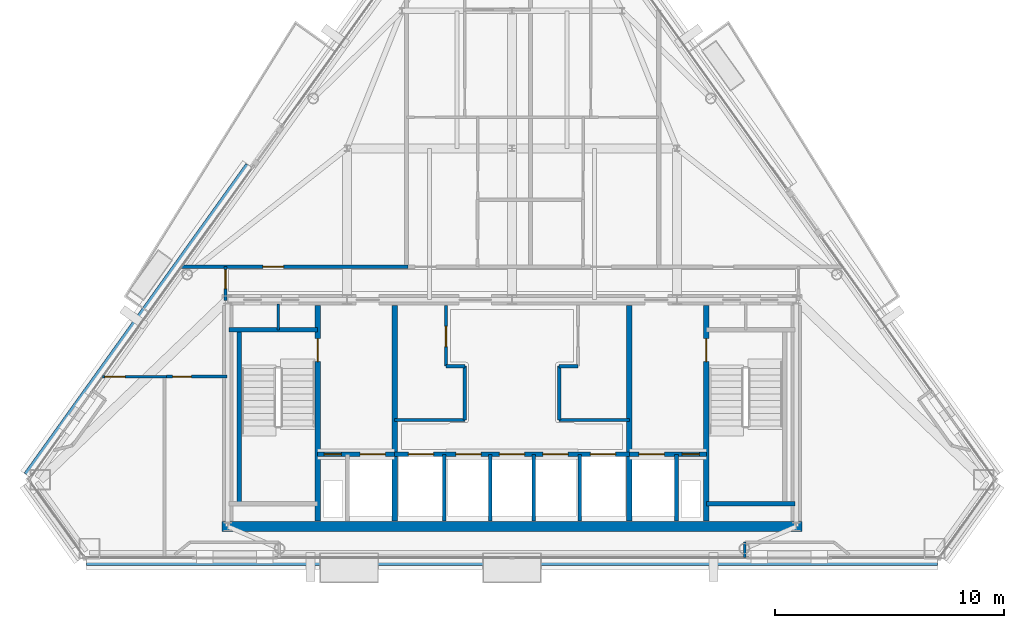
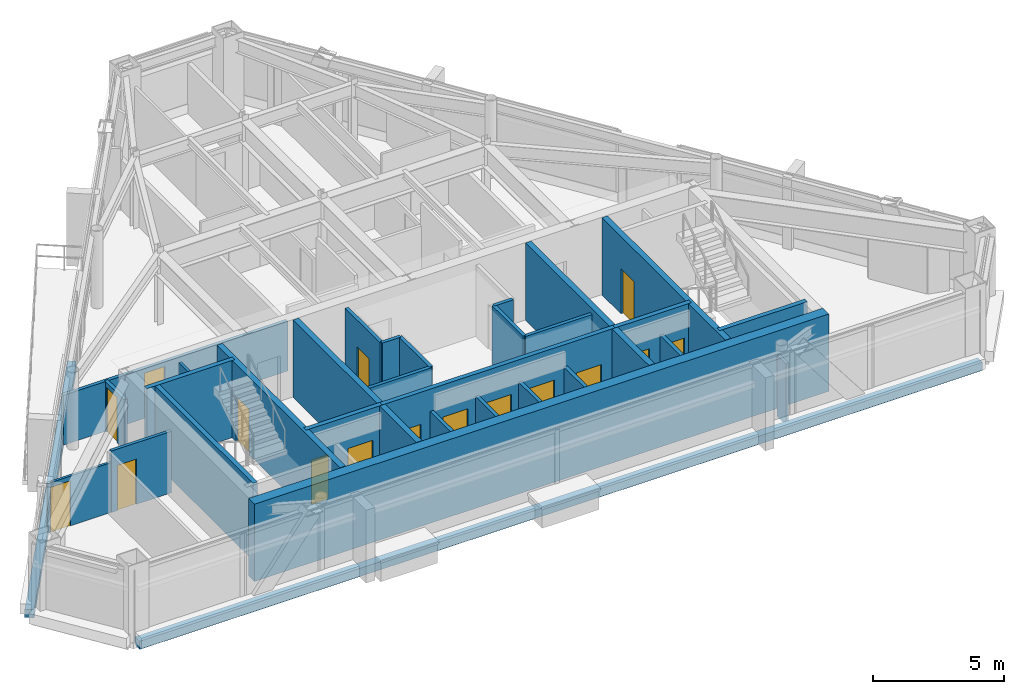
# One storey, part 8 of 12: 31 walls, 16 doors, 16 openings.
"""IFC4 building model written with IfcOpenShell, lengths in metres."""

from ifc_helpers import new_model, si_unit, direction, frame, frame_2d, origin, place, context, subcontext, project, spatial, rectangle, extrude, material, layer, layer_set, type_object, element, fill, save


model = new_model("IFC4")

# Units and contexts
model_context = context("Model", 3, precision=1e-05, world=origin(), true_north=direction((0.0, 1.0)))
body_context = subcontext(model_context, "Body", "Model", "MODEL_VIEW")
ifc_project = project(units=[si_unit("LENGTHUNIT", "METRE"), si_unit("AREAUNIT", "SQUARE_METRE"), si_unit("VOLUMEUNIT", "CUBIC_METRE"), si_unit("PLANEANGLEUNIT", "RADIAN"), si_unit("MASSUNIT", "GRAM", prefix="KILO")], contexts=[model_context])

# Site, building, storey
site_placement = place(None, origin())
site = spatial("IfcSite", under=ifc_project, at=site_placement, CompositionType="ELEMENT")
building_placement = place(site_placement, origin())
building = spatial("IfcBuilding", under=site, at=building_placement, Name="Talgorran Terracotta Tower", CompositionType="ELEMENT")
storey_placement = place(building_placement, frame((0.0, 0.0, 249.0)))
storey = spatial("IfcBuildingStorey", under=building, at=storey_placement, Name="L65", CompositionType="ELEMENT", Elevation=249.0)

# Walls
ifc_material_1 = material(Name="Concrete C50/60", Category="concrete")
ifc_layer_1 = layer(ifc_material_1, 0.199951171875, Name="WT_CORE_200")
ifc_layer_set_1 = layer_set([ifc_layer_1], Name="Concrete C50/60")
wall_type_1 = type_object("IfcWallType", Name="WT_CORE_200", PredefinedType="SOLIDWALL", material=ifc_layer_set_1)
wall_1_placement = place(storey_placement, frame((-12.35009765625, -5.52001953125, 0.0), z_axis=(0.0, 0.0, 1.0), x_axis=(1.0, 0.0, 0.0)))
element("IfcWall", 1, at=wall_1_placement, inside=storey, type_object=wall_type_1, Name="WL-L65-CW-ST1-N", PredefinedType="SOLIDWALL", context=body_context, shape_type="SweptSolid", body=[
    extrude(rectangle(XDim=3.8701171875, YDim=0.199951171875, at=frame_2d((1.93505859375, 0.0))), origin(), (0.0, 0.0, 1.0), 3.60009765625),
])
wall_2_placement = place(storey_placement, frame((-11.89990234375, -13.10009765625, 0.0), z_axis=(0.0, 0.0, 1.0), x_axis=(0.0, 1.0, 0.0)))
element("IfcWall", 2, at=wall_2_placement, inside=storey, type_object=wall_type_1, Name="WL-L65-CW-ST1-W", PredefinedType="SOLIDWALL", context=body_context, shape_type="SweptSolid", body=[
    extrude(rectangle(XDim=7.580078125, YDim=0.199951171875, at=frame_2d((3.7900390625, 0.0))), origin(), (0.0, 0.0, 1.0), 3.60009765625),
])
wall_3_placement = place(storey_placement, frame((8.47998046875, -13.10009765625, 0.0), z_axis=(0.0, 0.0, 1.0), x_axis=(1.0, 0.0, 0.0)))
element("IfcWall", 3, at=wall_3_placement, inside=storey, type_object=wall_type_1, Name="WL-L65-CW-ST2-S", PredefinedType="SOLIDWALL", context=body_context, shape_type="SweptSolid", body=[
    extrude(rectangle(XDim=3.8701171875, YDim=0.199951171875, at=frame_2d((1.93505859375, 0.0))), origin(), (0.0, 0.0, 1.0), 3.60009765625),
])

# Wall, openings, doors
wall_4_placement = place(storey_placement, frame((-8.47998046875, -10.949951171875, 0.0), z_axis=(0.0, 0.0, 1.0), x_axis=(1.0, 0.0, 0.0)))
wall_4 = element("IfcWall", 4, at=wall_4_placement, inside=storey, type_object=wall_type_1, Name="WL-L65-CW-H-SBW", PredefinedType="SOLIDWALL", context=body_context, shape_type="SweptSolid", body=[
    extrude(rectangle(XDim=3.35986328125, YDim=0.199951171875, at=frame_2d((1.679931640625, 0.0))), origin(), (0.0, 0.0, 1.0), 3.60009765625),
])
opening_1_placement = place(wall_4_placement, frame((0.280029296875, 0.0, 0.0)))
opening_1 = element("IfcOpeningElement", 5, at=opening_1_placement, cuts=wall_4, Name="Opening DR-RSW", PredefinedType="OPENING", context=body_context, shape_type="SweptSolid", body=[
    extrude(rectangle(XDim=0.756, YDim=2.054048828125, at=frame_2d((0.375, 1.027099609375))), frame((0.0, 0.10986328125, 0.0), z_axis=(0.0, -1.0, 0.0), x_axis=(1.0, 0.0, 0.0)), (0.0, 0.0, 1.0), 0.219970703125),
])
opening_2_placement = place(wall_4_placement, frame((1.85009765625, 0.0, 0.0)))
opening_2 = element("IfcOpeningElement", 6, at=opening_2_placement, cuts=wall_4, Name="Opening LD-FFL1", PredefinedType="OPENING", context=body_context, shape_type="SweptSolid", body=[
    extrude(rectangle(XDim=1.10609765625, YDim=2.10409765625, at=frame_2d((0.550048828125, 1.052001953125))), frame((0.0, 0.10986328125, 0.0), z_axis=(0.0, -1.0, 0.0), x_axis=(1.0, 0.0, 0.0)), (0.0, 0.0, 1.0), 0.219970703125),
])
ifc_material_2 = material(Name="Brushed Stainless Steel Grade 304", Category="steel")
door_type_1 = type_object("IfcDoorType", Name="DT_LIFT_LD1100", OperationType="DOUBLE_DOOR_SLIDING", PredefinedType="DOOR", material=ifc_material_2)
door_1_placement = place(opening_2_placement, origin())
door_1 = element("IfcDoor", 7, at=door_1_placement, inside=storey, type_object=door_type_1, Name="L65 Lift Landing Door LD-FFL1", OperationType="DOUBLE_DOOR_SLIDING", OverallHeight=2.10009765625, OverallWidth=1.10009765625, PredefinedType="DOOR", context=body_context, shape_type="SweptSolid", body=[
    extrude(rectangle(XDim=1.10009765625, YDim=2.10009765625, at=frame_2d((0.550048828125, 1.050048828125))), frame((0.0, 0.02490234375, 0.0), z_axis=(0.0, -1.0, 0.0), x_axis=(1.0, 0.0, 0.0)), (0.0, 0.0, 1.0), 0.050048828125),
])
fill(opening_2, door_1)
ifc_material_3 = material(Name="Fire-Rated Pressed Steel", Category="steel")
door_type_2 = type_object("IfcDoorType", Name="DT_RISER_750", OperationType="NOTDEFINED", PredefinedType="DOOR", material=ifc_material_3)
door_2_placement = place(opening_1_placement, origin())
door_2 = element("IfcDoor", 8, at=door_2_placement, inside=storey, type_object=door_type_2, Name="DR-RSW", OperationType="SINGLE_SWING_LEFT", OverallHeight=2.050048828125, OverallWidth=0.75, PredefinedType="DOOR", context=body_context, shape_type="SweptSolid", body=[
    extrude(rectangle(XDim=0.75, YDim=2.050048828125, at=frame_2d((0.375, 1.02490234375))), frame((0.0, 0.02490234375, 0.0), z_axis=(0.0, -1.0, 0.0), x_axis=(1.0, 0.0, 0.0)), (0.0, 0.0, 1.0), 0.050048828125),
])
fill(opening_1, door_2)

wall_5_placement = place(storey_placement, frame((-5.1201171875, -10.949951171875, 0.0), z_axis=(0.0, 0.0, 1.0), x_axis=(1.0, 0.0, 0.0)))
wall_5 = element("IfcWall", 9, at=wall_5_placement, inside=storey, type_object=wall_type_1, Name="WL-L65-CW-H-SBC", PredefinedType="SOLIDWALL", context=body_context, shape_type="SweptSolid", body=[
    extrude(rectangle(XDim=10.240234375, YDim=0.199951171875, at=frame_2d((5.1201171875, 0.0))), origin(), (0.0, 0.0, 1.0), 3.60009765625),
])
opening_3_placement = place(wall_5_placement, frame((0.60009765625, 0.0, 0.0)))
opening_3 = element("IfcOpeningElement", 10, at=opening_3_placement, cuts=wall_5, Name="Opening LD-OB1", PredefinedType="OPENING", context=body_context, shape_type="SweptSolid", body=[
    extrude(rectangle(XDim=1.10609765625, YDim=2.10409765625, at=frame_2d((0.550048828125, 1.052001953125))), frame((0.0, 0.10986328125, 0.0), z_axis=(0.0, -1.0, 0.0), x_axis=(1.0, 0.0, 0.0)), (0.0, 0.0, 1.0), 0.219970703125),
])
opening_4_placement = place(wall_5_placement, frame((2.669921875, 0.0, 0.0)))
opening_4 = element("IfcOpeningElement", 11, at=opening_4_placement, cuts=wall_5, Name="Opening LD-PLH1", PredefinedType="OPENING", context=body_context, shape_type="SweptSolid", body=[
    extrude(rectangle(XDim=1.10609765625, YDim=2.10409765625, at=frame_2d((0.550048828125, 1.052001953125))), frame((0.0, 0.10986328125, 0.0), z_axis=(0.0, -1.0, 0.0), x_axis=(1.0, 0.0, 0.0)), (0.0, 0.0, 1.0), 0.219970703125),
])
opening_5_placement = place(wall_5_placement, frame((4.570068359375, 0.0, 0.0)))
opening_5 = element("IfcOpeningElement", 12, at=opening_5_placement, cuts=wall_5, Name="Opening LD-PLH2", PredefinedType="OPENING", context=body_context, shape_type="SweptSolid", body=[
    extrude(rectangle(XDim=1.10609765625, YDim=2.10409765625, at=frame_2d((0.550048828125, 1.052001953125))), frame((0.0, 0.10986328125, 0.0), z_axis=(0.0, -1.0, 0.0), x_axis=(1.0, 0.0, 0.0)), (0.0, 0.0, 1.0), 0.219970703125),
])
opening_6_placement = place(wall_5_placement, frame((6.469970703125, 0.0, 0.0)))
opening_6 = element("IfcOpeningElement", 13, at=opening_6_placement, cuts=wall_5, Name="Opening LD-PLH3", PredefinedType="OPENING", context=body_context, shape_type="SweptSolid", body=[
    extrude(rectangle(XDim=1.10609765625, YDim=2.10409765625, at=frame_2d((0.550048828125, 1.052001953125))), frame((0.0, 0.10986328125, 0.0), z_axis=(0.0, -1.0, 0.0), x_axis=(1.0, 0.0, 0.0)), (0.0, 0.0, 1.0), 0.219970703125),
])
opening_7_placement = place(wall_5_placement, frame((8.5400390625, 0.0, 0.0)))
opening_7 = element("IfcOpeningElement", 14, at=opening_7_placement, cuts=wall_5, Name="Opening LD-SVL1", PredefinedType="OPENING", context=body_context, shape_type="SweptSolid", body=[
    extrude(rectangle(XDim=1.10609765625, YDim=2.10409765625, at=frame_2d((0.550048828125, 1.052001953125))), frame((0.0, 0.10986328125, 0.0), z_axis=(0.0, -1.0, 0.0), x_axis=(1.0, 0.0, 0.0)), (0.0, 0.0, 1.0), 0.219970703125),
])
door_3_placement = place(opening_3_placement, origin())
door_3 = element("IfcDoor", 15, at=door_3_placement, inside=storey, type_object=door_type_1, Name="L65 Lift Landing Door LD-OB1", OperationType="DOUBLE_DOOR_SLIDING", OverallHeight=2.10009765625, OverallWidth=1.10009765625, PredefinedType="DOOR", context=body_context, shape_type="SweptSolid", body=[
    extrude(rectangle(XDim=1.10009765625, YDim=2.10009765625, at=frame_2d((0.550048828125, 1.050048828125))), frame((0.0, 0.02490234375, 0.0), z_axis=(0.0, -1.0, 0.0), x_axis=(1.0, 0.0, 0.0)), (0.0, 0.0, 1.0), 0.050048828125),
])
fill(opening_3, door_3)
door_4_placement = place(opening_4_placement, origin())
door_4 = element("IfcDoor", 16, at=door_4_placement, inside=storey, type_object=door_type_1, Name="L65 Lift Landing Door LD-PLH1", OperationType="DOUBLE_DOOR_SLIDING", OverallHeight=2.10009765625, OverallWidth=1.10009765625, PredefinedType="DOOR", context=body_context, shape_type="SweptSolid", body=[
    extrude(rectangle(XDim=1.10009765625, YDim=2.10009765625, at=frame_2d((0.550048828125, 1.050048828125))), frame((0.0, 0.02490234375, 0.0), z_axis=(0.0, -1.0, 0.0), x_axis=(1.0, 0.0, 0.0)), (0.0, 0.0, 1.0), 0.050048828125),
])
fill(opening_4, door_4)
door_5_placement = place(opening_5_placement, origin())
door_5 = element("IfcDoor", 17, at=door_5_placement, inside=storey, type_object=door_type_1, Name="L65 Lift Landing Door LD-PLH2", OperationType="DOUBLE_DOOR_SLIDING", OverallHeight=2.10009765625, OverallWidth=1.10009765625, PredefinedType="DOOR", context=body_context, shape_type="SweptSolid", body=[
    extrude(rectangle(XDim=1.10009765625, YDim=2.10009765625, at=frame_2d((0.550048828125, 1.050048828125))), frame((0.0, 0.02490234375, 0.0), z_axis=(0.0, -1.0, 0.0), x_axis=(1.0, 0.0, 0.0)), (0.0, 0.0, 1.0), 0.050048828125),
])
fill(opening_5, door_5)
door_6_placement = place(opening_6_placement, origin())
door_6 = element("IfcDoor", 18, at=door_6_placement, inside=storey, type_object=door_type_1, Name="L65 Lift Landing Door LD-PLH3", OperationType="DOUBLE_DOOR_SLIDING", OverallHeight=2.10009765625, OverallWidth=1.10009765625, PredefinedType="DOOR", context=body_context, shape_type="SweptSolid", body=[
    extrude(rectangle(XDim=1.10009765625, YDim=2.10009765625, at=frame_2d((0.550048828125, 1.050048828125))), frame((0.0, 0.02490234375, 0.0), z_axis=(0.0, -1.0, 0.0), x_axis=(1.0, 0.0, 0.0)), (0.0, 0.0, 1.0), 0.050048828125),
])
fill(opening_6, door_6)
door_7_placement = place(opening_7_placement, origin())
door_7 = element("IfcDoor", 19, at=door_7_placement, inside=storey, type_object=door_type_1, Name="L65 Lift Landing Door LD-SVL1", OperationType="DOUBLE_DOOR_SLIDING", OverallHeight=2.10009765625, OverallWidth=1.10009765625, PredefinedType="DOOR", context=body_context, shape_type="SweptSolid", body=[
    extrude(rectangle(XDim=1.10009765625, YDim=2.10009765625, at=frame_2d((0.550048828125, 1.050048828125))), frame((0.0, 0.02490234375, 0.0), z_axis=(0.0, -1.0, 0.0), x_axis=(1.0, 0.0, 0.0)), (0.0, 0.0, 1.0), 0.050048828125),
])
fill(opening_7, door_7)

wall_6_placement = place(storey_placement, frame((5.1201171875, -10.949951171875, 0.0), z_axis=(0.0, 0.0, 1.0), x_axis=(1.0, 0.0, 0.0)))
wall_6 = element("IfcWall", 20, at=wall_6_placement, inside=storey, type_object=wall_type_1, Name="WL-L65-CW-H-SBE", PredefinedType="SOLIDWALL", context=body_context, shape_type="SweptSolid", body=[
    extrude(rectangle(XDim=3.35986328125, YDim=0.199951171875, at=frame_2d((1.679931640625, 0.0))), origin(), (0.0, 0.0, 1.0), 3.60009765625),
])
opening_8_placement = place(wall_6_placement, frame((0.419921875, 0.0, 0.0)))
opening_8 = element("IfcOpeningElement", 21, at=opening_8_placement, cuts=wall_6, Name="Opening LD-FFL2", PredefinedType="OPENING", context=body_context, shape_type="SweptSolid", body=[
    extrude(rectangle(XDim=1.10609765625, YDim=2.10409765625, at=frame_2d((0.550048828125, 1.052001953125))), frame((0.0, 0.10986328125, 0.0), z_axis=(0.0, -1.0, 0.0), x_axis=(1.0, 0.0, 0.0)), (0.0, 0.0, 1.0), 0.219970703125),
])
opening_9_placement = place(wall_6_placement, frame((2.300048828125, 0.0, 0.0)))
opening_9 = element("IfcOpeningElement", 22, at=opening_9_placement, cuts=wall_6, Name="Opening DR-RSE", PredefinedType="OPENING", context=body_context, shape_type="SweptSolid", body=[
    extrude(rectangle(XDim=0.756, YDim=2.054048828125, at=frame_2d((0.375, 1.027099609375))), frame((0.0, 0.10986328125, 0.0), z_axis=(0.0, -1.0, 0.0), x_axis=(1.0, 0.0, 0.0)), (0.0, 0.0, 1.0), 0.219970703125),
])
door_8_placement = place(opening_8_placement, origin())
door_8 = element("IfcDoor", 23, at=door_8_placement, inside=storey, type_object=door_type_1, Name="L65 Lift Landing Door LD-FFL2", OperationType="DOUBLE_DOOR_SLIDING", OverallHeight=2.10009765625, OverallWidth=1.10009765625, PredefinedType="DOOR", context=body_context, shape_type="SweptSolid", body=[
    extrude(rectangle(XDim=1.10009765625, YDim=2.10009765625, at=frame_2d((0.550048828125, 1.050048828125))), frame((0.0, 0.02490234375, 0.0), z_axis=(0.0, -1.0, 0.0), x_axis=(1.0, 0.0, 0.0)), (0.0, 0.0, 1.0), 0.050048828125),
])
fill(opening_8, door_8)
door_9_placement = place(opening_9_placement, origin())
door_9 = element("IfcDoor", 24, at=door_9_placement, inside=storey, type_object=door_type_2, Name="DR-RSE", OperationType="SINGLE_SWING_RIGHT", OverallHeight=2.050048828125, OverallWidth=0.75, PredefinedType="DOOR", context=body_context, shape_type="SweptSolid", body=[
    extrude(rectangle(XDim=0.75, YDim=2.050048828125, at=frame_2d((0.375, 1.02490234375))), frame((0.0, 0.02490234375, 0.0), z_axis=(0.0, -1.0, 0.0), x_axis=(1.0, 0.0, 0.0)), (0.0, 0.0, 1.0), 0.050048828125),
])
fill(opening_9, door_9)

# Wall, opening, door
ifc_layer_2 = layer(ifc_material_1, 0.25, Name="WT_CORE_250")
ifc_layer_set_2 = layer_set([ifc_layer_2], Name="Concrete C50/60")
wall_type_2 = type_object("IfcWallType", Name="WT_CORE_250", PredefinedType="SHEAR", material=ifc_layer_set_2)
wall_7_placement = place(storey_placement, frame((-8.47998046875, -13.85009765625, 0.0), z_axis=(0.0, 0.0, 1.0), x_axis=(0.0, 1.0, 0.0)))
wall_7 = element("IfcWall", 25, at=wall_7_placement, inside=storey, type_object=wall_type_2, Name="WL-L65-CW-V-W1", PredefinedType="SHEAR", context=body_context, shape_type="SweptSolid", body=[
    extrude(rectangle(XDim=9.400146484375, YDim=0.25, at=frame_2d((4.7001953125, 0.0))), origin(), (0.0, 0.0, 1.0), 3.60009765625),
])
opening_10_placement = place(wall_7_placement, frame((6.949951171875, 0.0, 0.0)))
opening_10 = element("IfcOpeningElement", 26, at=opening_10_placement, cuts=wall_7, Name="Opening DR-ST01", PredefinedType="OPENING", context=body_context, shape_type="SweptSolid", body=[
    extrude(rectangle(XDim=1.006, YDim=2.10409765625, at=frame_2d((0.5, 1.052001953125))), frame((0.0, 0.135009765625, 0.0), z_axis=(0.0, -1.0, 0.0), x_axis=(1.0, 0.0, 0.0)), (0.0, 0.0, 1.0), 0.27001953125),
])
door_type_3 = type_object("IfcDoorType", Name="DT_FIRE_1000", OperationType="NOTDEFINED", PredefinedType="DOOR", material=ifc_material_3)
door_10_placement = place(opening_10_placement, origin())
door_10 = element("IfcDoor", 27, at=door_10_placement, inside=storey, type_object=door_type_3, Name="DR-ST01", OperationType="SINGLE_SWING_LEFT", OverallHeight=2.10009765625, OverallWidth=1.0, PredefinedType="DOOR", context=body_context, shape_type="SweptSolid", body=[
    extrude(rectangle(XDim=1.0, YDim=2.10009765625, at=frame_2d((0.5, 1.050048828125))), frame((0.0, 0.02490234375, 0.0), z_axis=(0.0, -1.0, 0.0), x_axis=(1.0, 0.0, 0.0)), (0.0, 0.0, 1.0), 0.050048828125),
])
fill(opening_10, door_10)

wall_8_placement = place(storey_placement, frame((8.47998046875, -13.85009765625, 0.0), z_axis=(0.0, 0.0, 1.0), x_axis=(0.0, 1.0, 0.0)))
wall_8 = element("IfcWall", 28, at=wall_8_placement, inside=storey, type_object=wall_type_2, Name="WL-L65-CW-V-E1", PredefinedType="SHEAR", context=body_context, shape_type="SweptSolid", body=[
    extrude(rectangle(XDim=9.400146484375, YDim=0.25, at=frame_2d((4.7001953125, 0.0))), origin(), (0.0, 0.0, 1.0), 3.60009765625),
])
opening_11_placement = place(wall_8_placement, frame((6.949951171875, 0.0, 0.0)))
opening_11 = element("IfcOpeningElement", 29, at=opening_11_placement, cuts=wall_8, Name="Opening DR-ST02", PredefinedType="OPENING", context=body_context, shape_type="SweptSolid", body=[
    extrude(rectangle(XDim=1.006, YDim=2.10409765625, at=frame_2d((0.5, 1.052001953125))), frame((0.0, 0.135009765625, 0.0), z_axis=(0.0, -1.0, 0.0), x_axis=(1.0, 0.0, 0.0)), (0.0, 0.0, 1.0), 0.27001953125),
])
door_11_placement = place(opening_11_placement, origin())
door_11 = element("IfcDoor", 30, at=door_11_placement, inside=storey, type_object=door_type_3, Name="DR-ST02", OperationType="SINGLE_SWING_RIGHT", OverallHeight=2.10009765625, OverallWidth=1.0, PredefinedType="DOOR", context=body_context, shape_type="SweptSolid", body=[
    extrude(rectangle(XDim=1.0, YDim=2.10009765625, at=frame_2d((0.5, 1.050048828125))), frame((0.0, 0.02490234375, 0.0), z_axis=(0.0, -1.0, 0.0), x_axis=(1.0, 0.0, 0.0)), (0.0, 0.0, 1.0), 0.050048828125),
])
fill(opening_11, door_11)

# Walls
for number, where, z_axis, x_axis, name in (
    (31, (-5.1201171875, -13.85009765625, 0.0), (0.0, 0.0, 1.0), (0.0, 1.0, 0.0), "WL-L65-CW-V-W2"),
    (32, (5.1201171875, -13.85009765625, 0.0), (0.0, 0.0, 1.0), (0.0, 1.0, 0.0), "WL-L65-CW-V-E2"),
):
    element("IfcWall", number, at=place(storey_placement, frame(where, z_axis=z_axis, x_axis=x_axis)), inside=storey, type_object=wall_type_2, Name=name, PredefinedType="SHEAR", context=body_context, shape_type="SweptSolid", body=[
        extrude(rectangle(XDim=9.400146484375, YDim=0.25, at=frame_2d((4.7001953125, 0.0))), origin(), (0.0, 0.0, 1.0), 3.60009765625),
    ])
ifc_material_4 = material(Name="Concrete C65/80", Category="concrete")
ifc_layer_3 = layer(ifc_material_4, 0.449951171875, Name="WT_CORE_EXT")
ifc_layer_set_3 = layer_set([ifc_layer_3], Name="Concrete C65/80")
wall_type_3 = type_object("IfcWallType", Name="WT_CORE_EXT", PredefinedType="SHEAR", material=ifc_layer_set_3)
wall_9_placement = place(storey_placement, frame((-12.64990234375, -14.10009765625, 0.0), z_axis=(0.0, 0.0, 1.0), x_axis=(1.0, 0.0, 0.0)))
element("IfcWall", 33, at=wall_9_placement, inside=storey, type_object=wall_type_3, Name="WL-L65-CW-OUT-S", PredefinedType="SHEAR", context=body_context, shape_type="SweptSolid", body=[
    extrude(rectangle(XDim=25.2998046875, YDim=0.449951171875, at=frame_2d((12.64990234375, 0.0))), origin(), (0.0, 0.0, 1.0), 3.60009765625),
])
ifc_material_5 = material(Name="Fire-Rated Steel Stud Plasterboard", Category="steel")
ifc_layer_4 = layer(ifc_material_5, 0.14990234375, Name="WT_FIRE_150")
ifc_layer_set_4 = layer_set([ifc_layer_4], Name="Fire-Rated Steel Stud Plasterboard")
wall_type_4 = type_object("IfcWallType", Name="WT_FIRE_150", PredefinedType="PARTITIONING", material=ifc_layer_set_4)
wall_10_placement = place(storey_placement, frame((-5.1201171875, -9.449951171875, 0.0), z_axis=(0.0, 0.0, 1.0), x_axis=(1.0, 0.0, 0.0)))
element("IfcWall", 34, at=wall_10_placement, inside=storey, type_object=wall_type_4, Name="WL-L65-CW-H-W4N", PredefinedType="PARTITIONING", context=body_context, shape_type="SweptSolid", body=[
    extrude(rectangle(XDim=3.06005859375, YDim=0.14990234375, at=frame_2d((1.530029296875, 0.0))), origin(), (0.0, 0.0, 1.0), 3.344970703125),
])
wall_11_placement = place(storey_placement, frame((-2.06005859375, -9.449951171875, 0.0), z_axis=(0.0, 0.0, 1.0), x_axis=(0.0, 1.0, 0.0)))
element("IfcWall", 35, at=wall_11_placement, inside=storey, type_object=wall_type_4, Name="WL-L65-CW-V-W3S2", PredefinedType="PARTITIONING", context=body_context, shape_type="SweptSolid", body=[
    extrude(rectangle(XDim=2.349853515625, YDim=0.14990234375, at=frame_2d((1.1748046875, 0.0))), origin(), (0.0, 0.0, 1.0), 3.344970703125),
])
wall_12_placement = place(storey_placement, frame((-2.8798828125, -7.10009765625, 0.0), z_axis=(0.0, 0.0, 1.0), x_axis=(1.0, 0.0, 0.0)))
element("IfcWall", 36, at=wall_12_placement, inside=storey, type_object=wall_type_4, Name="WL-L65-CW-H-W3M2", PredefinedType="PARTITIONING", context=body_context, shape_type="SweptSolid", body=[
    extrude(rectangle(XDim=0.81982421875, YDim=0.14990234375, at=frame_2d((0.409912109375, 0.0))), origin(), (0.0, 0.0, 1.0), 3.344970703125),
])

# Wall, opening, door
wall_13_placement = place(storey_placement, frame((-2.8798828125, -7.10009765625, 0.0), z_axis=(0.0, 0.0, 1.0), x_axis=(0.0, 1.0, 0.0)))
wall_13 = element("IfcWall", 37, at=wall_13_placement, inside=storey, type_object=wall_type_4, Name="WL-L65-CW-V-W3N", PredefinedType="PARTITIONING", context=body_context, shape_type="SweptSolid", body=[
    extrude(rectangle(XDim=2.650146484375, YDim=0.14990234375, at=frame_2d((1.3251953125, 0.0))), origin(), (0.0, 0.0, 1.0), 3.344970703125),
])
opening_12_placement = place(wall_13_placement, frame((0.85009765625, 0.0, 0.0)))
opening_12 = element("IfcOpeningElement", 38, at=opening_12_placement, cuts=wall_13, Name="Opening DR-FRPLL-B", PredefinedType="OPENING", context=body_context, shape_type="SweptSolid", body=[
    extrude(rectangle(XDim=0.8858828125, YDim=2.10409765625, at=frame_2d((0.43994140625, 1.052001953125))), frame((0.0, 0.0849609375, 0.0), z_axis=(0.0, -1.0, 0.0), x_axis=(1.0, 0.0, 0.0)), (0.0, 0.0, 1.0), 0.169921875),
])
ifc_material_6 = material(Name="Solid-Core Painted Timber", Category="wood")
door_type_4 = type_object("IfcDoorType", Name="DT_INT_880", OperationType="NOTDEFINED", PredefinedType="DOOR", material=ifc_material_6)
door_12_placement = place(opening_12_placement, origin())
door_12 = element("IfcDoor", 39, at=door_12_placement, inside=storey, type_object=door_type_4, Name="DR-FRPLL-B", OperationType="SINGLE_SWING_LEFT", OverallHeight=2.10009765625, OverallWidth=0.8798828125, PredefinedType="DOOR", context=body_context, shape_type="SweptSolid", body=[
    extrude(rectangle(XDim=0.8798828125, YDim=2.10009765625, at=frame_2d((0.43994140625, 1.050048828125))), frame((0.0, 0.02490234375, 0.0), z_axis=(0.0, -1.0, 0.0), x_axis=(1.0, 0.0, 0.0)), (0.0, 0.0, 1.0), 0.050048828125),
])
fill(opening_12, door_12)

# Walls
wall_14_placement = place(storey_placement, frame((2.06005859375, -9.449951171875, 0.0), z_axis=(0.0, 0.0, 1.0), x_axis=(1.0, 0.0, 0.0)))
element("IfcWall", 40, at=wall_14_placement, inside=storey, type_object=wall_type_4, Name="WL-L65-CW-H-E4N", PredefinedType="PARTITIONING", context=body_context, shape_type="SweptSolid", body=[
    extrude(rectangle(XDim=3.06005859375, YDim=0.14990234375, at=frame_2d((1.530029296875, 0.0))), origin(), (0.0, 0.0, 1.0), 3.344970703125),
])
wall_15_placement = place(storey_placement, frame((2.06005859375, -9.449951171875, 0.0), z_axis=(0.0, 0.0, 1.0), x_axis=(0.0, 1.0, 0.0)))
element("IfcWall", 41, at=wall_15_placement, inside=storey, type_object=wall_type_4, Name="WL-L65-CW-V-E3S2", PredefinedType="PARTITIONING", context=body_context, shape_type="SweptSolid", body=[
    extrude(rectangle(XDim=2.349853515625, YDim=0.14990234375, at=frame_2d((1.1748046875, 0.0))), origin(), (0.0, 0.0, 1.0), 3.344970703125),
])
wall_16_placement = place(storey_placement, frame((2.06005859375, -7.10009765625, 0.0), z_axis=(0.0, 0.0, 1.0), x_axis=(1.0, 0.0, 0.0)))
element("IfcWall", 42, at=wall_16_placement, inside=storey, type_object=wall_type_4, Name="WL-L65-CW-H-E3M2", PredefinedType="PARTITIONING", context=body_context, shape_type="SweptSolid", body=[
    extrude(rectangle(XDim=0.81982421875, YDim=0.14990234375, at=frame_2d((0.409912109375, 0.0))), origin(), (0.0, 0.0, 1.0), 3.344970703125),
])

# Wall, opening, door
wall_17_placement = place(storey_placement, frame((-14.419921875, -2.760009765625, 0.0), z_axis=(0.0, 0.0, 1.0), x_axis=(1.0, 0.0, 0.0)))
wall_17 = element("IfcWall", 43, at=wall_17_placement, inside=storey, type_object=wall_type_4, Name="WL-L65-W-L65-R03", PredefinedType="PARTITIONING", context=body_context, shape_type="SweptSolid", body=[
    extrude(rectangle(XDim=9.8798828125, YDim=0.14990234375, at=frame_2d((4.93994140625, 0.0))), origin(), (0.0, 0.0, 1.0), 2.320068359375),
])
opening_13_placement = place(wall_17_placement, frame((3.555419921875, 0.0, 0.0)))
opening_13 = element("IfcOpeningElement", 44, at=opening_13_placement, cuts=wall_17, Name="Opening DR-L65-R05", PredefinedType="OPENING", context=body_context, shape_type="SweptSolid", body=[
    extrude(rectangle(XDim=0.90590234375, YDim=2.10409765625, at=frame_2d((0.449951171875, 1.052001953125))), frame((0.0, 0.0849609375, 0.0), z_axis=(0.0, -1.0, 0.0), x_axis=(1.0, 0.0, 0.0)), (0.0, 0.0, 1.0), 0.169921875),
])
ifc_material_7 = material(Name="Fire-Rated Timber Core", Category="wood")
door_type_5 = type_object("IfcDoorType", Name="DT_FIRE_900", OperationType="NOTDEFINED", PredefinedType="DOOR", material=ifc_material_7)
door_13_placement = place(opening_13_placement, origin())
door_13 = element("IfcDoor", 45, at=door_13_placement, inside=storey, type_object=door_type_5, Name="DR-L65-R05", OperationType="SINGLE_SWING_LEFT", OverallHeight=2.10009765625, OverallWidth=0.89990234375, PredefinedType="DOOR", context=body_context, shape_type="SweptSolid", body=[
    extrude(rectangle(XDim=0.89990234375, YDim=2.10009765625, at=frame_2d((0.449951171875, 1.050048828125))), frame((0.0, 0.02490234375, 0.0), z_axis=(0.0, -1.0, 0.0), x_axis=(1.0, 0.0, 0.0)), (0.0, 0.0, 1.0), 0.050048828125),
])
fill(opening_13, door_13)

wall_18_placement = place(storey_placement, frame((-12.5, -4.239990234375, 0.0), z_axis=(0.0, 0.0, 1.0), x_axis=(0.0, 1.0, 0.0)))
wall_18 = element("IfcWall", 46, at=wall_18_placement, inside=storey, type_object=wall_type_4, Name="WL-L65-W-L65-R01", PredefinedType="PARTITIONING", context=body_context, shape_type="SweptSolid", body=[
    extrude(rectangle(XDim=1.47998046875, YDim=0.14990234375, at=frame_2d((0.739990234375, 0.0))), origin(), (0.0, 0.0, 1.0), 2.320068359375),
])
opening_14_placement = place(wall_18_placement, frame((0.521728515625, 0.0, 0.0)))
opening_14 = element("IfcOpeningElement", 47, at=opening_14_placement, cuts=wall_18, Name="Opening DR-L65-R01", PredefinedType="OPENING", context=body_context, shape_type="SweptSolid", body=[
    extrude(rectangle(XDim=0.826068359375, YDim=2.10409765625, at=frame_2d((0.41015625, 1.052001953125))), frame((0.0, 0.0849609375, 0.0), z_axis=(0.0, -1.0, 0.0), x_axis=(1.0, 0.0, 0.0)), (0.0, 0.0, 1.0), 0.169921875),
])
ifc_material_8 = material(Name="Moisture-Resistant Solid Timber", Category="wood")
door_type_6 = type_object("IfcDoorType", Name="DT_INT_820", OperationType="NOTDEFINED", PredefinedType="DOOR", material=ifc_material_8)
door_14_placement = place(opening_14_placement, origin())
door_14 = element("IfcDoor", 48, at=door_14_placement, inside=storey, type_object=door_type_6, Name="DR-L65-R01", OperationType="SINGLE_SWING_LEFT", OverallHeight=2.10009765625, OverallWidth=0.820068359375, PredefinedType="DOOR", context=body_context, shape_type="SweptSolid", body=[
    extrude(rectangle(XDim=0.820068359375, YDim=2.10009765625, at=frame_2d((0.41015625, 1.050048828125))), frame((0.0, 0.02490234375, 0.0), z_axis=(0.0, -1.0, 0.0), x_axis=(1.0, 0.0, 0.0)), (0.0, 0.0, 1.0), 0.050048828125),
])
fill(opening_14, door_14)

# Walls
ifc_material_9 = material(Name="Concrete C40/50", Category="concrete")
ifc_layer_5 = layer(ifc_material_9, 0.219970703125, Name="WT_PARAPET_RC")
ifc_layer_set_5 = layer_set([ifc_layer_5], Name="Concrete C40/50")
wall_type_5 = type_object("IfcWallType", Name="WT_PARAPET_RC", PredefinedType="PARAPET", material=ifc_layer_set_5)
wall_19_placement = place(storey_placement, frame((-18.5576171875, -15.623291015625, -0.199951171875), z_axis=(0.0, 0.0, 1.0), x_axis=(1.0, 0.0, 0.0)))
element("IfcWall", 49, at=wall_19_placement, inside=storey, type_object=wall_type_5, Name="L65 Striped Portal Precast Cornice F1", PredefinedType="PARAPET", context=body_context, shape_type="SweptSolid", body=[
    extrude(rectangle(XDim=37.115234375, YDim=0.360107421875, at=frame_2d((18.5576171875, 0.0))), origin(), (0.0, 0.0, 1.0), 0.3798828125),
])
wall_20_placement = place(storey_placement, frame((-11.4677734375, 1.637451171875, -0.199951171875), z_axis=(0.0, 0.0, 1.0), x_axis=(-0.582200027891, -0.813045587605, 0.0)))
element("IfcWall", 50, at=wall_20_placement, inside=storey, type_object=wall_type_5, Name="L65 Striped Portal Precast Cornice F61", PredefinedType="PARAPET", context=body_context, shape_type="SweptSolid", body=[
    extrude(rectangle(XDim=16.6083984375, YDim=0.360107421875, at=frame_2d((8.30419921875, 0.0))), origin(), (0.0, 0.0, 1.0), 0.3798828125),
])

# Wall, opening, door
ifc_material_10 = material(Name="Lightweight Steel Stud Partition", Category="steel")
ifc_layer_6 = layer(ifc_material_10, 0.10498046875, Name="WT_PART_110")
ifc_layer_set_6 = layer_set([ifc_layer_6], Name="Lightweight Steel Stud Partition")
wall_type_6 = type_object("IfcWallType", Name="WT_PART_110", PredefinedType="PARTITIONING", material=ifc_layer_set_6)
wall_21_placement = place(storey_placement, frame((-17.857177734375, -7.56005859375, 0.0), z_axis=(0.0, 0.0, 1.0), x_axis=(1.0, 0.0, 0.0)))
wall_21 = element("IfcWall", 51, at=wall_21_placement, inside=storey, type_object=wall_type_6, Name="WL-L65-W-L65-R10", PredefinedType="PARTITIONING", context=body_context, shape_type="SweptSolid", body=[
    extrude(rectangle(XDim=2.777099609375, YDim=0.10498046875, at=frame_2d((1.388671875, 0.0))), origin(), (0.0, 0.0, 1.0), 2.320068359375),
])
opening_15_placement = place(wall_21_placement, frame((0.10009765625, 0.0, 0.0)))
opening_15 = element("IfcOpeningElement", 52, at=opening_15_placement, cuts=wall_21, Name="Opening DR-L65-R03", PredefinedType="OPENING", context=body_context, shape_type="SweptSolid", body=[
    extrude(rectangle(XDim=0.8858828125, YDim=2.10409765625, at=frame_2d((0.43994140625, 1.052001953125))), frame((0.0, 0.0625, 0.0), z_axis=(0.0, -1.0, 0.0), x_axis=(1.0, 0.0, 0.0)), (0.0, 0.0, 1.0), 0.125),
])
door_15_placement = place(opening_15_placement, origin())
door_15 = element("IfcDoor", 53, at=door_15_placement, inside=storey, type_object=door_type_4, Name="DR-L65-R03", OperationType="SINGLE_SWING_LEFT", OverallHeight=2.10009765625, OverallWidth=0.8798828125, PredefinedType="DOOR", context=body_context, shape_type="SweptSolid", body=[
    extrude(rectangle(XDim=0.8798828125, YDim=2.10009765625, at=frame_2d((0.43994140625, 1.050048828125))), frame((0.0, 0.02490234375, 0.0), z_axis=(0.0, -1.0, 0.0), x_axis=(1.0, 0.0, 0.0)), (0.0, 0.0, 1.0), 0.050048828125),
])
fill(opening_15, door_15)

# Walls
ifc_material_11 = material(Name="Insulated Steel Stud Plasterboard", Category="steel")
ifc_layer_7 = layer(ifc_material_11, 0.1201171875, Name="WT_PART_120")
ifc_layer_set_7 = layer_set([ifc_layer_7], Name="Insulated Steel Stud Plasterboard")
wall_type_7 = type_object("IfcWallType", Name="WT_PART_120", PredefinedType="PARTITIONING", material=ifc_layer_set_7)
wall_22_placement = place(storey_placement, frame((-10.199951171875, -5.52001953125, 0.0), z_axis=(0.0, 0.0, 1.0), x_axis=(0.0, 1.0, 0.0)))
element("IfcWall", 54, at=wall_22_placement, inside=storey, type_object=wall_type_7, Name="WL-L65-CW-CSW-DIV", PredefinedType="PARTITIONING", context=body_context, shape_type="SweptSolid", body=[
    extrude(rectangle(XDim=1.1201171875, YDim=0.1201171875, at=frame_2d((0.56005859375, 0.0))), origin(), (0.0, 0.0, 1.0), 3.344970703125),
])
wall_23_placement = place(storey_placement, frame((10.157958984375, -15.453369140625, 0.0), z_axis=(0.0, 0.0, 1.0), x_axis=(0.0, 1.0, 0.0)))
element("IfcWall", 55, at=wall_23_placement, inside=storey, type_object=wall_type_7, Name="WL-L65-BW-L65-05", PredefinedType="PARTITIONING", context=body_context, shape_type="SweptSolid", body=[
    extrude(rectangle(XDim=0.670166015625, YDim=0.1201171875, at=frame_2d((0.3349609375, 0.0))), origin(), (0.0, 0.0, 1.0), 2.863037109375),
])

# Wall, opening, door
ifc_material_12 = material(Name="Moisture-Resistant Stud Wall")
ifc_layer_8 = layer(ifc_material_12, 0.135009765625, Name="WT_PART_135")
ifc_layer_set_8 = layer_set([ifc_layer_8], Name="Moisture-Resistant Stud Wall")
wall_type_8 = type_object("IfcWallType", Name="WT_PART_135", PredefinedType="PARTITIONING", material=ifc_layer_set_8)
wall_24_placement = place(storey_placement, frame((-15.077880859375, -7.56005859375, 0.0), z_axis=(0.0, 0.0, 1.0), x_axis=(1.0, 0.0, 0.0)))
wall_24 = element("IfcWall", 56, at=wall_24_placement, inside=storey, type_object=wall_type_8, Name="WL-L65-W-L65-R09", PredefinedType="PARTITIONING", context=body_context, shape_type="SweptSolid", body=[
    extrude(rectangle(XDim=2.637939453125, YDim=0.135009765625, at=frame_2d((1.31884765625, 0.0))), origin(), (0.0, 0.0, 1.0), 2.863037109375),
])
opening_16_placement = place(wall_24_placement, frame((0.2705078125, 0.0, 0.0)))
opening_16 = element("IfcOpeningElement", 57, at=opening_16_placement, cuts=wall_24, Name="Opening DR-L65-R02", PredefinedType="OPENING", context=body_context, shape_type="SweptSolid", body=[
    extrude(rectangle(XDim=0.826068359375, YDim=2.10409765625, at=frame_2d((0.41015625, 1.052001953125))), frame((0.0, 0.07763671875, 0.0), z_axis=(0.0, -1.0, 0.0), x_axis=(1.0, 0.0, 0.0)), (0.0, 0.0, 1.0), 0.155029296875),
])
door_16_placement = place(opening_16_placement, origin())
door_16 = element("IfcDoor", 58, at=door_16_placement, inside=storey, type_object=door_type_6, Name="DR-L65-R02", OperationType="SINGLE_SWING_RIGHT", OverallHeight=2.10009765625, OverallWidth=0.820068359375, PredefinedType="DOOR", context=body_context, shape_type="SweptSolid", body=[
    extrude(rectangle(XDim=0.820068359375, YDim=2.10009765625, at=frame_2d((0.41015625, 1.050048828125))), frame((0.0, 0.02490234375, 0.0), z_axis=(0.0, -1.0, 0.0), x_axis=(1.0, 0.0, 0.0)), (0.0, 0.0, 1.0), 0.050048828125),
])
fill(opening_16, door_16)

# Walls
ifc_material_13 = material(Name="Fire-Rated Shaftwall")
ifc_layer_9 = layer(ifc_material_13, 0.159912109375, Name="WT_PART_150")
ifc_layer_set_9 = layer_set([ifc_layer_9], Name="Fire-Rated Shaftwall")
wall_type_9 = type_object("IfcWallType", Name="WT_PART_150", PredefinedType="PARTITIONING", material=ifc_layer_set_9)
for number, where, z_axis, x_axis, name in (
    (59, (7.179931640625, -13.85009765625, 0.0), (0.0, 0.0, 1.0), (0.0, 1.0, 0.0), "WL-L65-CW-RSE"),
    (60, (-2.949951171875, -13.85009765625, 0.0), (0.0, 0.0, 1.0), (0.0, 1.0, 0.0), "WL-L65-CW-OB-E"),
    (61, (2.949951171875, -13.85009765625, 0.0), (0.0, 0.0, 1.0), (0.0, 1.0, 0.0), "WL-L65-CW-SV-W"),
    (62, (-0.949951171875, -13.85009765625, 0.0), (0.0, 0.0, 1.0), (0.0, 1.0, 0.0), "WL-L65-CW-PLH-D1"),
    (63, (0.949951171875, -13.85009765625, 0.0), (0.0, 0.0, 1.0), (0.0, 1.0, 0.0), "WL-L65-CW-PLH-D2"),
):
    element("IfcWall", number, at=place(storey_placement, frame(where, z_axis=z_axis, x_axis=x_axis)), inside=storey, type_object=wall_type_9, Name=name, PredefinedType="PARTITIONING", context=body_context, shape_type="SweptSolid", body=[
        extrude(rectangle(XDim=2.900146484375, YDim=0.159912109375, at=frame_2d((1.4501953125, 0.0))), origin(), (0.0, 0.0, 1.0), 2.570068359375),
    ])

save(model, "model.ifc")
